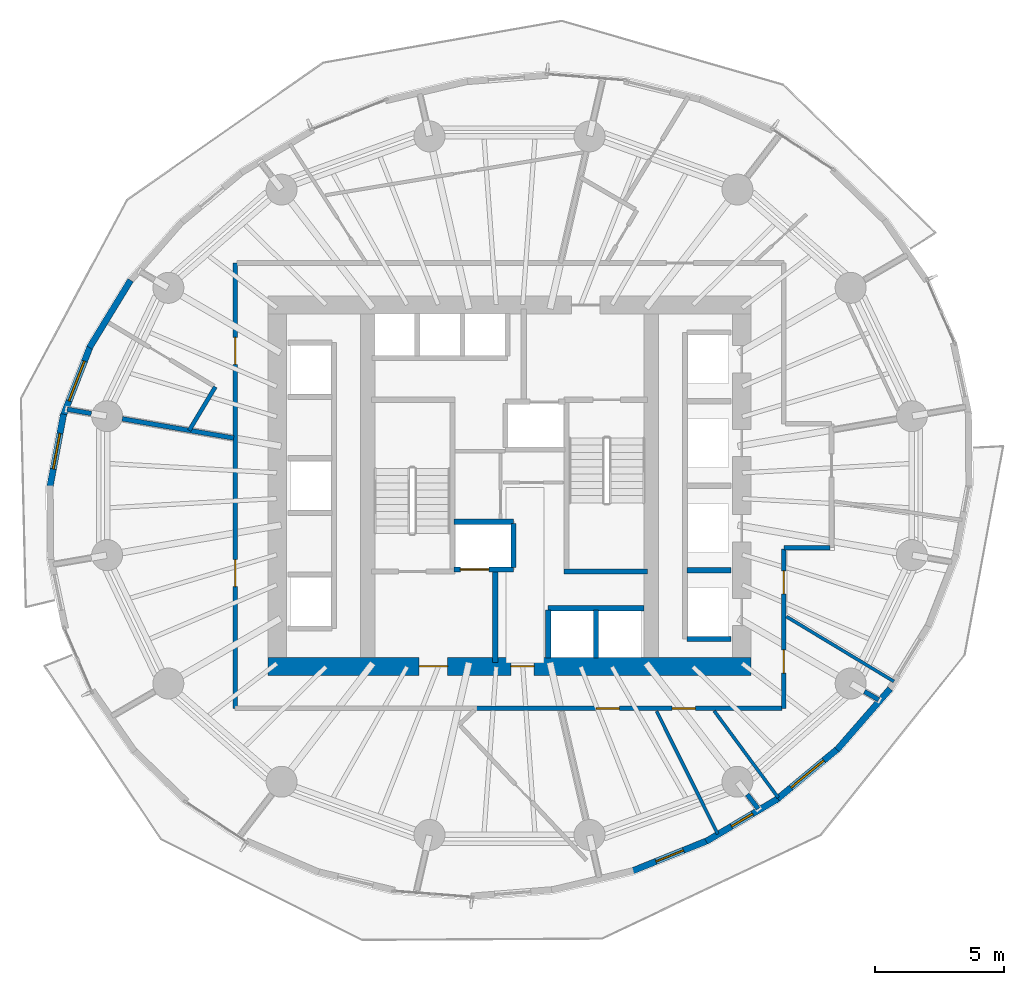
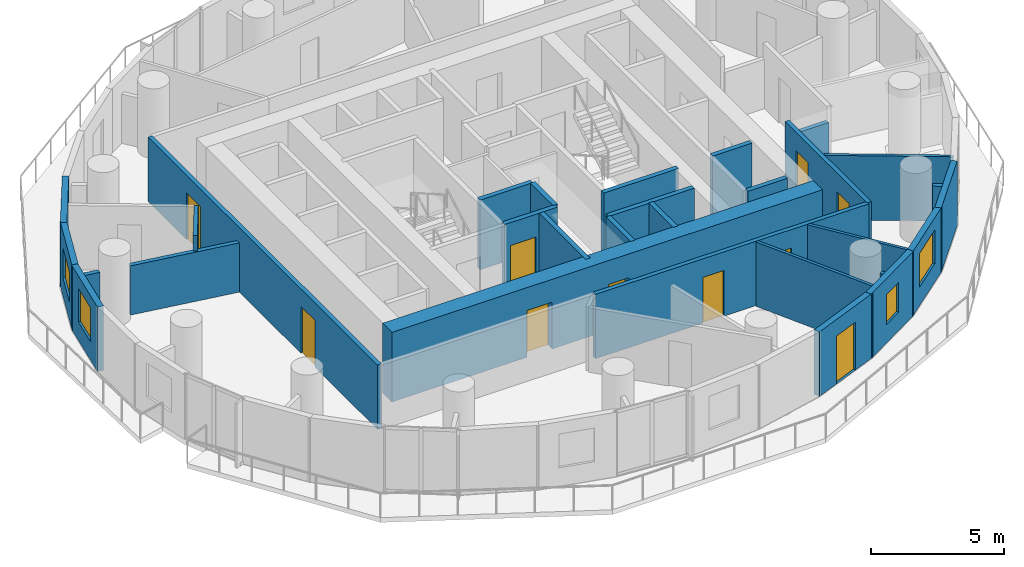
# One storey, part 7 of 14: 30 walls, 10 doors, 4 windows, 14 openings.
"""IFC4 building model written with IfcOpenShell, lengths in metres."""

from ifc_helpers import new_model, si_unit, direction, frame, frame_2d, origin, place, context, subcontext, project, spatial, rectangle, extrude, material, layer, layer_set, type_object, element, fill, save


model = new_model("IFC4")

# Units and contexts
model_context = context("Model", 3, precision=1e-05, world=origin(), true_north=direction((0.0, 1.0)))
body_context = subcontext(model_context, "Body", "Model", "MODEL_VIEW")
ifc_project = project(units=[si_unit("LENGTHUNIT", "METRE"), si_unit("AREAUNIT", "SQUARE_METRE"), si_unit("VOLUMEUNIT", "CUBIC_METRE"), si_unit("PLANEANGLEUNIT", "RADIAN"), si_unit("MASSUNIT", "GRAM", prefix="KILO")], contexts=[model_context])

# Site, building, storey
site_placement = place(None, origin())
site = spatial("IfcSite", under=ifc_project, at=site_placement, CompositionType="ELEMENT")
building_placement = place(site_placement, origin())
building = spatial("IfcBuilding", under=site, at=building_placement, Name="Veldorim Arch Residences", CompositionType="ELEMENT")
storey_placement = place(building_placement, frame((0.0, 0.0, 77.280029296875)))
storey = spatial("IfcBuildingStorey", under=building, at=storey_placement, Name="L22", CompositionType="ELEMENT", Elevation=77.280029296875)

# Walls
ifc_material_1 = material(Name="Acoustic Gypsum Board", Category="gypsum")
ifc_layer_1 = layer(ifc_material_1, 0.125, Name="Acoustic Stud Room Partition Wall 125")
ifc_layer_set_1 = layer_set([ifc_layer_1], Name="Acoustic Gypsum Board")
wall_type_1 = type_object("IfcWallType", Name="Acoustic Stud Room Partition Wall 125", PredefinedType="PARTITIONING", material=ifc_layer_set_1)
wall_1_placement = place(storey_placement, frame((46.8984375, 16.413818359375, 0.0), z_axis=(0.0, 0.0, 1.0), x_axis=(-0.856255019026, 0.51655332967, 0.0)))
element("IfcWall", 1, at=wall_1_placement, inside=storey, type_object=wall_type_1, Name="L22 interior wall WL-RES-L22-013", PredefinedType="PARTITIONING", context=body_context, shape_type="SweptSolid", body=[
    extrude(rectangle(XDim=4.86474609375, YDim=0.125, at=frame_2d((2.432373046875, 0.0))), origin(), (0.0, 0.0, 1.0), 2.955078125),
])
wall_2_placement = place(storey_placement, frame((42.416015625, 11.906494140625, 0.0), z_axis=(0.0, 0.0, 1.0), x_axis=(-0.593774058598, 0.804631820981, 0.0)))
element("IfcWall", 2, at=wall_2_placement, inside=storey, type_object=wall_type_1, Name="L22 interior wall WL-RES-L22-014", PredefinedType="PARTITIONING", context=body_context, shape_type="SweptSolid", body=[
    extrude(rectangle(XDim=4.1845703125, YDim=0.125, at=frame_2d((2.09228515625, 0.0))), origin(), (0.0, 0.0, 1.0), 2.955078125),
])
wall_3_placement = place(storey_placement, frame((40.0732421875, 10.498291015625, 0.0), z_axis=(0.0, 0.0, 1.0), x_axis=(-0.446241148369, 0.894912754129, 0.0)))
element("IfcWall", 3, at=wall_3_placement, inside=storey, type_object=wall_type_1, Name="L22 interior wall WL-RES-L22-015", PredefinedType="PARTITIONING", context=body_context, shape_type="SweptSolid", body=[
    extrude(rectangle(XDim=5.323974609375, YDim=0.125, at=frame_2d((2.662109375, 0.0))), origin(), (0.0, 0.0, 1.0), 2.955078125),
])
ifc_material_2 = material(Name="Lightweight Masonry Block & Gypsum", Category="masonry")
ifc_layer_2 = layer(ifc_material_2, 0.179931640625, Name="Compartment & Corridor Fire-Rated Party Wall 180")
ifc_layer_set_2 = layer_set([ifc_layer_2], Name="Lightweight Masonry Block & Gypsum")
wall_type_2 = type_object("IfcWallType", Name="Compartment & Corridor Fire-Rated Party Wall 180", PredefinedType="PARTITIONING", material=ifc_layer_set_2)
wall_4_placement = place(storey_placement, frame((15.79443359375, 26.797607421875, 0.0), z_axis=(0.0, 0.0, 1.0), x_axis=(-0.985396187556, 0.170277284302, 0.0)))
element("IfcWall", 4, at=wall_4_placement, inside=storey, type_object=wall_type_2, Name="L22 interior wall WL-PIER-L22-08", PredefinedType="PARTITIONING", context=body_context, shape_type="SweptSolid", body=[
    extrude(rectangle(XDim=0.94921875, YDim=0.179931640625, at=frame_2d((0.474609375, 0.0))), origin(), (0.0, 0.0, 1.0), 2.26025390625),
])
wall_5_placement = place(storey_placement, frame((41.2119140625, 12.034423828125, 0.0), z_axis=(0.0, 0.0, 1.0), x_axis=(0.609945476355, -0.792443383387, 0.0)))
element("IfcWall", 5, at=wall_5_placement, inside=storey, type_object=wall_type_2, Name="L22 interior wall WL-PIER-L22-14", PredefinedType="PARTITIONING", context=body_context, shape_type="SweptSolid", body=[
    extrude(rectangle(XDim=0.70361328125, YDim=0.179931640625, at=frame_2d((0.351806640625, 0.0))), origin(), (0.0, 0.0, 1.0), 2.26025390625),
])
wall_6_placement = place(storey_placement, frame((45.756591796875, 16.022216796875, 0.0), z_axis=(0.0, 0.0, 1.0), x_axis=(0.864928236137, -0.501895553212, 0.0)))
element("IfcWall", 6, at=wall_6_placement, inside=storey, type_object=wall_type_2, Name="L22 interior wall WL-PIER-L22-15", PredefinedType="PARTITIONING", context=body_context, shape_type="SweptSolid", body=[
    extrude(rectangle(XDim=0.63818359375, YDim=0.179931640625, at=frame_2d((0.319091796875, 0.0))), origin(), (0.0, 0.0, 1.0), 2.26025390625),
])
wall_7_placement = place(storey_placement, frame((44.419921875, 21.60009765625, 0.0), z_axis=(0.0, 0.0, 1.0), x_axis=(-1.0, 0.0, 0.0)))
element("IfcWall", 7, at=wall_7_placement, inside=storey, type_object=wall_type_2, Name="L22 interior wall WL-RES-L22-002", PredefinedType="PARTITIONING", context=body_context, shape_type="SweptSolid", body=[
    extrude(rectangle(XDim=1.7900390625, YDim=0.179931640625, at=frame_2d((0.89501953125, 0.0))), origin(), (0.0, 0.0, 1.0), 2.26025390625),
])

# Wall, openings, doors
wall_8_placement = place(storey_placement, frame((42.6298828125, 21.5400390625, 0.0), z_axis=(0.0, 0.0, 1.0), x_axis=(0.0, -1.0, 0.0)))
wall_8 = element("IfcWall", 8, at=wall_8_placement, inside=storey, type_object=wall_type_2, Name="L22 interior wall WL-RES-L22-003", PredefinedType="PARTITIONING", context=body_context, shape_type="SweptSolid", body=[
    extrude(rectangle(XDim=6.169921875, YDim=0.179931640625, at=frame_2d((3.0849609375, 0.0))), origin(), (0.0, 0.0, 1.0), 2.955078125),
])
opening_1_placement = place(wall_8_placement, frame((0.83740234375, 0.0, 0.0)))
opening_1 = element("IfcOpeningElement", 9, at=opening_1_placement, cuts=wall_8, Name="Opening DR-INT", PredefinedType="OPENING", context=body_context, shape_type="SweptSolid", body=[
    extrude(rectangle(XDim=0.89990234375, YDim=2.10009765625, at=frame_2d((0.449951171875, 1.050048828125))), frame((0.0, 0.099853515625, 0.0), z_axis=(0.0, -1.0, 0.0), x_axis=(1.0, 0.0, 0.0)), (0.0, 0.0, 1.0), 0.199951171875),
])
opening_2_placement = place(wall_8_placement, frame((3.900634765625, 0.0, 0.0)))
opening_2 = element("IfcOpeningElement", 10, at=opening_2_placement, cuts=wall_8, Name="Opening DR-INT", PredefinedType="OPENING", context=body_context, shape_type="SweptSolid", body=[
    extrude(rectangle(XDim=0.89990234375, YDim=2.10009765625, at=frame_2d((0.449951171875, 1.050048828125))), frame((0.0, 0.099853515625, 0.0), z_axis=(0.0, -1.0, 0.0), x_axis=(1.0, 0.0, 0.0)), (0.0, 0.0, 1.0), 0.199951171875),
])
ifc_material_3 = material(Name="Engineered Timber", Category="wood")
door_type_1 = type_object("IfcDoorType", Name="Apartment Internal Room Timber Door 900x2100", OperationType="SINGLE_SWING_LEFT", PredefinedType="DOOR", material=ifc_material_3)
door_1_placement = place(opening_1_placement, origin())
door_1 = element("IfcDoor", 11, at=door_1_placement, inside=storey, type_object=door_type_1, Name="L22 interior door DR-RES-L22-002", OperationType="SINGLE_SWING_RIGHT", OverallHeight=2.10009765625, OverallWidth=0.89990234375, PredefinedType="DOOR", context=body_context, shape_type="SweptSolid", body=[
    extrude(rectangle(XDim=0.89990234375, YDim=2.10009765625, at=frame_2d((0.449951171875, 1.050048828125))), frame((0.0, 0.02490234375, 0.0), z_axis=(0.0, -1.0, 0.0), x_axis=(1.0, 0.0, 0.0)), (0.0, 0.0, 1.0), 0.050048828125),
])
fill(opening_1, door_1)
door_2_placement = place(opening_2_placement, origin())
door_2 = element("IfcDoor", 12, at=door_2_placement, inside=storey, type_object=door_type_1, Name="L22 interior door DR-RES-L22-003", OperationType="SINGLE_SWING_LEFT", OverallHeight=2.10009765625, OverallWidth=0.89990234375, PredefinedType="DOOR", context=body_context, shape_type="SweptSolid", body=[
    extrude(rectangle(XDim=0.89990234375, YDim=2.10009765625, at=frame_2d((0.449951171875, 1.050048828125))), frame((0.0, 0.02490234375, 0.0), z_axis=(0.0, -1.0, 0.0), x_axis=(1.0, 0.0, 0.0)), (0.0, 0.0, 1.0), 0.050048828125),
])
fill(opening_2, door_2)

wall_9_placement = place(storey_placement, frame((42.570068359375, 15.3701171875, 0.0), z_axis=(0.0, 0.0, 1.0), x_axis=(-1.0, 0.0, 0.0)))
wall_9 = element("IfcWall", 13, at=wall_9_placement, inside=storey, type_object=wall_type_2, Name="L22 interior wall WL-RES-L22-004", PredefinedType="PARTITIONING", context=body_context, shape_type="SweptSolid", body=[
    extrude(rectangle(XDim=11.879150390625, YDim=0.179931640625, at=frame_2d((5.939453125, 0.0))), origin(), (0.0, 0.0, 1.0), 2.955078125),
])
opening_3_placement = place(wall_9_placement, frame((3.365478515625, 0.0, 0.0)))
opening_3 = element("IfcOpeningElement", 14, at=opening_3_placement, cuts=wall_9, Name="Opening DR-INT", PredefinedType="OPENING", context=body_context, shape_type="SweptSolid", body=[
    extrude(rectangle(XDim=0.89990234375, YDim=2.10009765625, at=frame_2d((0.449951171875, 1.050048828125))), frame((0.0, 0.099853515625, 0.0), z_axis=(0.0, -1.0, 0.0), x_axis=(1.0, 0.0, 0.0)), (0.0, 0.0, 1.0), 0.199951171875),
])
opening_4_placement = place(wall_9_placement, frame((6.307861328125, 0.0, 0.0)))
opening_4 = element("IfcOpeningElement", 15, at=opening_4_placement, cuts=wall_9, Name="Opening DR-INT", PredefinedType="OPENING", context=body_context, shape_type="SweptSolid", body=[
    extrude(rectangle(XDim=0.89990234375, YDim=2.10009765625, at=frame_2d((0.449951171875, 1.050048828125))), frame((0.0, 0.099853515625, 0.0), z_axis=(0.0, -1.0, 0.0), x_axis=(1.0, 0.0, 0.0)), (0.0, 0.0, 1.0), 0.199951171875),
])
door_3_placement = place(opening_3_placement, origin())
door_3 = element("IfcDoor", 16, at=door_3_placement, inside=storey, type_object=door_type_1, Name="L22 interior door DR-RES-L22-004", OperationType="SINGLE_SWING_RIGHT", OverallHeight=2.10009765625, OverallWidth=0.89990234375, PredefinedType="DOOR", context=body_context, shape_type="SweptSolid", body=[
    extrude(rectangle(XDim=0.89990234375, YDim=2.10009765625, at=frame_2d((0.449951171875, 1.050048828125))), frame((0.0, 0.02490234375, 0.0), z_axis=(0.0, -1.0, 0.0), x_axis=(1.0, 0.0, 0.0)), (0.0, 0.0, 1.0), 0.050048828125),
])
fill(opening_3, door_3)
door_4_placement = place(opening_4_placement, origin())
door_4 = element("IfcDoor", 17, at=door_4_placement, inside=storey, type_object=door_type_1, Name="L22 interior door DR-RES-L22-005", OperationType="SINGLE_SWING_LEFT", OverallHeight=2.10009765625, OverallWidth=0.89990234375, PredefinedType="DOOR", context=body_context, shape_type="SweptSolid", body=[
    extrude(rectangle(XDim=0.89990234375, YDim=2.10009765625, at=frame_2d((0.449951171875, 1.050048828125))), frame((0.0, 0.02490234375, 0.0), z_axis=(0.0, -1.0, 0.0), x_axis=(1.0, 0.0, 0.0)), (0.0, 0.0, 1.0), 0.050048828125),
])
fill(opening_4, door_4)

wall_10_placement = place(storey_placement, frame((21.3701171875, 15.3701171875, 0.0), z_axis=(0.0, 0.0, 1.0), x_axis=(0.0, 1.0, 0.0)))
wall_10 = element("IfcWall", 18, at=wall_10_placement, inside=storey, type_object=wall_type_2, Name="L22 interior wall WL-RES-L22-008", PredefinedType="PARTITIONING", context=body_context, shape_type="SweptSolid", body=[
    extrude(rectangle(XDim=17.259765625, YDim=0.179931640625, at=frame_2d((8.6298828125, 0.0))), origin(), (0.0, 0.0, 1.0), 2.955078125),
])
opening_5_placement = place(wall_10_placement, frame((13.32763671875, 0.0, 0.0)))
opening_5 = element("IfcOpeningElement", 19, at=opening_5_placement, cuts=wall_10, Name="Opening DR-FLT", PredefinedType="OPENING", context=body_context, shape_type="SweptSolid", body=[
    extrude(rectangle(XDim=1.050048828125, YDim=2.14990234375, at=frame_2d((0.52490234375, 1.074951171875))), frame((0.0, 0.099853515625, 0.0), z_axis=(0.0, -1.0, 0.0), x_axis=(1.0, 0.0, 0.0)), (0.0, 0.0, 1.0), 0.199951171875),
])
opening_6_placement = place(wall_10_placement, frame((4.7177734375, 0.0, 0.0)))
opening_6 = element("IfcOpeningElement", 20, at=opening_6_placement, cuts=wall_10, Name="Opening DR-FLT", PredefinedType="OPENING", context=body_context, shape_type="SweptSolid", body=[
    extrude(rectangle(XDim=1.050048828125, YDim=2.14990234375, at=frame_2d((0.52490234375, 1.074951171875))), frame((0.0, 0.099853515625, 0.0), z_axis=(0.0, -1.0, 0.0), x_axis=(1.0, 0.0, 0.0)), (0.0, 0.0, 1.0), 0.199951171875),
])
ifc_material_4 = material(Name="Fire-Rated Timber", Category="wood")
door_type_2 = type_object("IfcDoorType", Name="Apartment Entrance Solid-Core Fire Door 1050x2150", OperationType="SINGLE_SWING_LEFT", PredefinedType="DOOR", material=ifc_material_4)
door_5_placement = place(opening_5_placement, origin())
door_5 = element("IfcDoor", 21, at=door_5_placement, inside=storey, type_object=door_type_2, Name="L22 interior door DR-RES-L22-011", OperationType="SINGLE_SWING_LEFT", OverallHeight=2.14990234375, OverallWidth=1.050048828125, PredefinedType="DOOR", context=body_context, shape_type="SweptSolid", body=[
    extrude(rectangle(XDim=1.050048828125, YDim=2.14990234375, at=frame_2d((0.52490234375, 1.074951171875))), frame((0.0, 0.02490234375, 0.0), z_axis=(0.0, -1.0, 0.0), x_axis=(1.0, 0.0, 0.0)), (0.0, 0.0, 1.0), 0.050048828125),
])
fill(opening_5, door_5)
door_6_placement = place(opening_6_placement, origin())
door_6 = element("IfcDoor", 22, at=door_6_placement, inside=storey, type_object=door_type_2, Name="L22 interior door DR-RES-L22-015", OperationType="SINGLE_SWING_LEFT", OverallHeight=2.14990234375, OverallWidth=1.050048828125, PredefinedType="DOOR", context=body_context, shape_type="SweptSolid", body=[
    extrude(rectangle(XDim=1.050048828125, YDim=2.14990234375, at=frame_2d((0.52490234375, 1.074951171875))), frame((0.0, 0.02490234375, 0.0), z_axis=(0.0, -1.0, 0.0), x_axis=(1.0, 0.0, 0.0)), (0.0, 0.0, 1.0), 0.050048828125),
])
fill(opening_6, door_6)

# Walls
wall_11_placement = place(storey_placement, frame((21.310791015625, 25.84521484375, 0.0), z_axis=(0.0, 0.0, 1.0), x_axis=(-0.98541310568, 0.170179349963, 0.0)))
element("IfcWall", 23, at=wall_11_placement, inside=storey, type_object=wall_type_2, Name="L22 interior wall WL-RES-L22-026", PredefinedType="PARTITIONING", context=body_context, shape_type="SweptSolid", body=[
    extrude(rectangle(XDim=4.38134765625, YDim=0.179931640625, at=frame_2d((2.190673828125, 0.0))), origin(), (0.0, 0.0, 1.0), 2.26025390625),
])
ifc_material_5 = material(Name="Concrete C50/60", Category="concrete")
ifc_layer_3 = layer(ifc_material_5, 0.199951171875, Name="Core Stair & Lift Shaft Enclosure Wall 200")
ifc_layer_set_3 = layer_set([ifc_layer_3], Name="Concrete C50/60")
wall_type_3 = type_object("IfcWallType", Name="Core Stair & Lift Shaft Enclosure Wall 200", PredefinedType="SHEAR", material=ifc_layer_set_3)
wall_12_placement = place(storey_placement, frame((34.110107421875, 20.669921875, 0.0), z_axis=(0.0, 0.0, 1.0), x_axis=(1.0, 0.0, 0.0)))
element("IfcWall", 24, at=wall_12_placement, inside=storey, type_object=wall_type_3, Name="L22 shaft wall WL-SHF-L22-ST2-S", PredefinedType="SHEAR", context=body_context, shape_type="SweptSolid", body=[
    extrude(rectangle(XDim=3.239990234375, YDim=0.199951171875, at=frame_2d((1.6201171875, 0.0))), origin(), (0.0, 0.0, 1.0), 3.199951171875),
])
wall_13_placement = place(storey_placement, frame((31.449951171875, 17.14990234375, 0.0), z_axis=(0.0, 0.0, 1.0), x_axis=(0.0, 1.0, 0.0)))
element("IfcWall", 25, at=wall_13_placement, inside=storey, type_object=wall_type_3, Name="L22 shaft wall WL-FFL1-L22-E", PredefinedType="SHEAR", context=body_context, shape_type="SweptSolid", body=[
    extrude(rectangle(XDim=3.5, YDim=0.199951171875, at=frame_2d((1.75, 0.0))), origin(), (0.0, 0.0, 1.0), 3.199951171875),
])

# Wall, opening, door
wall_14_placement = place(storey_placement, frame((29.85009765625, 20.75, 0.0), z_axis=(0.0, 0.0, 1.0), x_axis=(1.0, 0.0, 0.0)))
wall_14 = element("IfcWall", 26, at=wall_14_placement, inside=storey, type_object=wall_type_3, Name="L22 shaft wall WL-FL01-L22-S", PredefinedType="SHEAR", context=body_context, shape_type="SweptSolid", body=[
    extrude(rectangle(XDim=2.2998046875, YDim=0.199951171875, at=frame_2d((1.14990234375, 0.0))), origin(), (0.0, 0.0, 1.0), 3.199951171875),
])
opening_7_placement = place(wall_14_placement, frame((0.25, 0.0, 0.0)))
opening_7 = element("IfcOpeningElement", 27, at=opening_7_placement, cuts=wall_14, Name="Opening LD-FF", PredefinedType="OPENING", context=body_context, shape_type="SweptSolid", body=[
    extrude(rectangle(XDim=1.10009765625, YDim=2.14990234375, at=frame_2d((0.550048828125, 1.074951171875))), frame((0.0, 0.10986328125, 0.0), z_axis=(0.0, -1.0, 0.0), x_axis=(1.0, 0.0, 0.0)), (0.0, 0.0, 1.0), 0.219970703125),
])
ifc_material_6 = material(Name="Stainless Steel", Category="steel")
door_type_3 = type_object("IfcDoorType", Name="Firefighting Lift Bi-Parting Sliding Landing Door 1100x2150", OperationType="DOUBLE_DOOR_SLIDING", PredefinedType="DOOR", material=ifc_material_6)
door_7_placement = place(opening_7_placement, origin())
door_7 = element("IfcDoor", 28, at=door_7_placement, inside=storey, type_object=door_type_3, Name="L22 lift landing door LD-L22-FL01", OperationType="DOUBLE_DOOR_SLIDING", OverallHeight=2.14990234375, OverallWidth=1.10009765625, PredefinedType="DOOR", context=body_context, shape_type="SweptSolid", body=[
    extrude(rectangle(XDim=1.10009765625, YDim=2.14990234375, at=frame_2d((0.550048828125, 1.074951171875))), frame((0.0, 0.02490234375, 0.0), z_axis=(0.0, -1.0, 0.0), x_axis=(1.0, 0.0, 0.0)), (0.0, 0.0, 1.0), 0.050048828125),
])
fill(opening_7, door_7)

# Walls
wall_15_placement = place(storey_placement, frame((29.85009765625, 22.60009765625, 0.0), z_axis=(0.0, 0.0, 1.0), x_axis=(1.0, 0.0, 0.0)))
element("IfcWall", 29, at=wall_15_placement, inside=storey, type_object=wall_type_3, Name="L22 shaft wall WL-FL01-L22-N", PredefinedType="SHEAR", context=body_context, shape_type="SweptSolid", body=[
    extrude(rectangle(XDim=2.2998046875, YDim=0.199951171875, at=frame_2d((1.14990234375, 0.0))), origin(), (0.0, 0.0, 1.0), 3.199951171875),
])
for number, where, z_axis, x_axis, name in (
    (30, (32.14990234375, 20.820068359375, 0.0), (0.0, 0.0, 1.0), (0.0, 1.0, 0.0), "L22 shaft wall WL-FL01-L22-E"),
    (31, (38.8701171875, 18.06005859375, 0.0), (0.0, 0.0, 1.0), (1.0, 0.0, 0.0), "L22 shaft wall WL-B1-L22-S"),
    (32, (38.8701171875, 20.72509765625, 0.0), (0.0, 0.0, 1.0), (1.0, 0.0, 0.0), "L22 shaft wall WL-B1-L22-D1"),
):
    element("IfcWall", number, at=place(storey_placement, frame(where, z_axis=z_axis, x_axis=x_axis)), inside=storey, type_object=wall_type_3, Name=name, PredefinedType="SHEAR", context=body_context, shape_type="SweptSolid", body=[
        extrude(rectangle(XDim=1.7099609375, YDim=0.199951171875, at=frame_2d((0.85498046875, 0.0))), origin(), (0.0, 0.0, 1.0), 3.199951171875),
    ])
wall_16_placement = place(storey_placement, frame((33.5, 19.25, 0.0), z_axis=(0.0, 0.0, 1.0), x_axis=(1.0, 0.0, 0.0)))
element("IfcWall", 33, at=wall_16_placement, inside=storey, type_object=wall_type_3, Name="L22 shaft wall WL-OL-L22-N", PredefinedType="SHEAR", context=body_context, shape_type="SweptSolid", body=[
    extrude(rectangle(XDim=3.719970703125, YDim=0.199951171875, at=frame_2d((1.85986328125, 0.0))), origin(), (0.0, 0.0, 1.0), 3.199951171875),
])
for number, where, z_axis, x_axis, name in (
    (34, (33.5, 17.320068359375, 0.0), (0.0, 0.0, 1.0), (0.0, 1.0, 0.0), "L22 shaft wall WL-OL-L22-W"),
    (35, (35.35009765625, 17.320068359375, 0.0), (0.0, 0.0, 1.0), (0.0, 1.0, 0.0), "L22 shaft wall WL-OL-L22-D1"),
):
    element("IfcWall", number, at=place(storey_placement, frame(where, z_axis=z_axis, x_axis=x_axis)), inside=storey, type_object=wall_type_3, Name=name, PredefinedType="SHEAR", context=body_context, shape_type="SweptSolid", body=[
        extrude(rectangle(XDim=1.85986328125, YDim=0.199951171875, at=frame_2d((0.929931640625, 0.0))), origin(), (0.0, 0.0, 1.0), 3.199951171875),
    ])

# Wall, openings, doors
ifc_material_7 = material(Name="Concrete C60/75", Category="concrete")
ifc_layer_4 = layer(ifc_material_7, 0.699951171875, Name="Mid-Lower Central Core Shear Wall 700")
ifc_layer_set_4 = layer_set([ifc_layer_4], Name="Concrete C60/75")
wall_type_4 = type_object("IfcWallType", Name="Mid-Lower Central Core Shear Wall 700", PredefinedType="SHEAR", material=ifc_layer_set_4)
wall_17_placement = place(storey_placement, frame((22.64990234375, 17.0, 0.0), z_axis=(0.0, 0.0, 1.0), x_axis=(1.0, 0.0, 0.0)))
wall_17 = element("IfcWall", 36, at=wall_17_placement, inside=storey, type_object=wall_type_4, Name="L22 central core south shear wall", PredefinedType="SHEAR", context=body_context, shape_type="SweptSolid", body=[
    extrude(rectangle(XDim=18.7001953125, YDim=0.699951171875, at=frame_2d((9.35009765625, 0.0))), origin(), (0.0, 0.0, 1.0), 3.199951171875),
])
opening_8_placement = place(wall_17_placement, frame((5.85009765625, 0.0, 0.0)))
opening_8 = element("IfcOpeningElement", 37, at=opening_8_placement, cuts=wall_17, Name="Opening DR-FFL", PredefinedType="OPENING", context=body_context, shape_type="SweptSolid", body=[
    extrude(rectangle(XDim=1.10009765625, YDim=2.14990234375, at=frame_2d((0.550048828125, 1.074951171875))), frame((0.0, 0.35986328125, 0.0), z_axis=(0.0, -1.0, 0.0), x_axis=(1.0, 0.0, 0.0)), (0.0, 0.0, 1.0), 0.719970703125),
])
opening_9_placement = place(wall_17_placement, frame((9.39990234375, 0.0, 0.0)))
opening_9 = element("IfcOpeningElement", 38, at=opening_9_placement, cuts=wall_17, Name="Opening DR-SVC", PredefinedType="OPENING", context=body_context, shape_type="SweptSolid", body=[
    extrude(rectangle(XDim=0.89990234375, YDim=2.10009765625, at=frame_2d((0.449951171875, 1.050048828125))), frame((0.0, 0.35986328125, 0.0), z_axis=(0.0, -1.0, 0.0), x_axis=(1.0, 0.0, 0.0)), (0.0, 0.0, 1.0), 0.719970703125),
])
ifc_material_8 = material(Name="Fire-Rated Steel & Vision Glass", Category="steel")
door_type_4 = type_object("IfcDoorType", Name="Firefighting Lobby Smoke-Stop Fire Door 1100x2150", OperationType="SINGLE_SWING_LEFT", PredefinedType="DOOR", material=ifc_material_8)
door_8_placement = place(opening_8_placement, origin())
door_8 = element("IfcDoor", 39, at=door_8_placement, inside=storey, type_object=door_type_4, Name="L22 interior door DR-L22-FFL1", OperationType="SINGLE_SWING_RIGHT", OverallHeight=2.14990234375, OverallWidth=1.10009765625, PredefinedType="DOOR", context=body_context, shape_type="SweptSolid", body=[
    extrude(rectangle(XDim=1.10009765625, YDim=2.14990234375, at=frame_2d((0.550048828125, 1.074951171875))), frame((0.0, 0.02490234375, 0.0), z_axis=(0.0, -1.0, 0.0), x_axis=(1.0, 0.0, 0.0)), (0.0, 0.0, 1.0), 0.050048828125),
])
fill(opening_8, door_8)
ifc_material_9 = material(Name="Fire-Rated Steel", Category="steel")
door_type_5 = type_object("IfcDoorType", Name="Riser, Shelter & Plant Room Rated Steel Door 900x2100", OperationType="SINGLE_SWING_LEFT", PredefinedType="DOOR", material=ifc_material_9)
door_9_placement = place(opening_9_placement, origin())
door_9 = element("IfcDoor", 40, at=door_9_placement, inside=storey, type_object=door_type_5, Name="L22 interior door DR-L22-COR-ANC", OperationType="SINGLE_SWING_LEFT", OverallHeight=2.10009765625, OverallWidth=0.89990234375, PredefinedType="DOOR", context=body_context, shape_type="SweptSolid", body=[
    extrude(rectangle(XDim=0.89990234375, YDim=2.10009765625, at=frame_2d((0.449951171875, 1.050048828125))), frame((0.0, 0.02490234375, 0.0), z_axis=(0.0, -1.0, 0.0), x_axis=(1.0, 0.0, 0.0)), (0.0, 0.0, 1.0), 0.050048828125),
])
fill(opening_9, door_9)

# Wall
ifc_material_10 = material(Name="Precast concrete C40/50", Category="concrete")
ifc_layer_5 = layer(ifc_material_10, 0.25, Name="Tower Terracotta Spandrel & Pier Wall 250")
ifc_layer_set_5 = layer_set([ifc_layer_5], Name="Precast concrete C40/50")
wall_type_5 = type_object("IfcWallType", Name="Tower Terracotta Spandrel & Pier Wall 250", PredefinedType="SOLIDWALL", material=ifc_layer_set_5)
wall_18_placement = place(storey_placement, frame((15.71923828125, 29.35009765625, 0.0), z_axis=(0.0, 0.0, 1.0), x_axis=(0.520956264952, 0.853583370273, 0.0)))
element("IfcWall", 41, at=wall_18_placement, inside=storey, type_object=wall_type_5, Name="L22 terracotta facade wall 14", PredefinedType="SOLIDWALL", context=body_context, shape_type="SweptSolid", body=[
    extrude(rectangle(XDim=3.060791015625, YDim=0.25, at=frame_2d((1.5302734375, 0.0))), origin(), (0.0, 0.0, 1.0), 2.9599609375),
])

# Wall, opening, window
wall_19_placement = place(storey_placement, frame((14.685791015625, 26.6650390625, 0.0), z_axis=(0.0, 0.0, 1.0), x_axis=(0.362414720493, 0.93201693674, 0.0)))
wall_19 = element("IfcWall", 42, at=wall_19_placement, inside=storey, type_object=wall_type_5, Name="L22 terracotta facade wall 15", PredefinedType="SOLIDWALL", context=body_context, shape_type="SweptSolid", body=[
    extrude(rectangle(XDim=2.98828125, YDim=0.25, at=frame_2d((1.494140625, 0.0))), origin(), (0.0, 0.0, 1.0), 2.9599609375),
])
opening_10_placement = place(wall_19_placement, frame((0.6689453125, 0.0, 0.85009765625)))
opening_10 = element("IfcOpeningElement", 43, at=opening_10_placement, cuts=wall_19, Name="Opening WN-03", PredefinedType="OPENING", context=body_context, shape_type="SweptSolid", body=[
    extrude(rectangle(XDim=1.64990234375, YDim=1.3701171875, at=frame_2d((0.824951171875, 0.68505859375))), frame((0.0, 0.135009765625, 0.0), z_axis=(0.0, -1.0, 0.0), x_axis=(1.0, 0.0, 0.0)), (0.0, 0.0, 1.0), 0.27001953125),
])
ifc_material_11 = material(Name="Laminated Low-E Glass", Category="glass")
window_type_1 = type_object("IfcWindowType", Name="Residential Wide Window 1650x1550", PartitioningType="SINGLE_PANEL", PredefinedType="WINDOW", material=ifc_material_11)
window_1_placement = place(opening_10_placement, origin())
window_1 = element("IfcWindow", 44, at=window_1_placement, inside=storey, type_object=window_type_1, Name="L22 solar-control facade window 15", OverallHeight=1.3701171875, OverallWidth=1.64990234375, PartitioningType="SINGLE_PANEL", PredefinedType="WINDOW", context=body_context, shape_type="SweptSolid", body=[
    extrude(rectangle(XDim=1.64990234375, YDim=1.3701171875, at=frame_2d((0.824951171875, 0.68505859375))), frame((0.0, 0.030029296875, 0.0), z_axis=(0.0, -1.0, 0.0), x_axis=(1.0, 0.0, 0.0)), (0.0, 0.0, 1.0), 0.06005859375),
])
fill(opening_10, window_1)

wall_20_placement = place(storey_placement, frame((14.1787109375, 23.89990234375, 0.0), z_axis=(0.0, 0.0, 1.0), x_axis=(0.183975908968, 0.982930752861, 0.0)))
wall_20 = element("IfcWall", 45, at=wall_20_placement, inside=storey, type_object=wall_type_5, Name="L22 terracotta facade wall 16", PredefinedType="SOLIDWALL", context=body_context, shape_type="SweptSolid", body=[
    extrude(rectangle(XDim=2.92333984375, YDim=0.25, at=frame_2d((1.461669921875, 0.0))), origin(), (0.0, 0.0, 1.0), 2.9599609375),
])
opening_11_placement = place(wall_20_placement, frame((0.761962890625, 0.0, 0.85009765625)))
opening_11 = element("IfcOpeningElement", 46, at=opening_11_placement, cuts=wall_20, Name="Opening WN-02", PredefinedType="OPENING", context=body_context, shape_type="SweptSolid", body=[
    extrude(rectangle(XDim=1.39990234375, YDim=1.550048828125, at=frame_2d((0.699951171875, 0.77490234375))), frame((0.0, 0.135009765625, 0.0), z_axis=(0.0, -1.0, 0.0), x_axis=(1.0, 0.0, 0.0)), (0.0, 0.0, 1.0), 0.27001953125),
])
ifc_material_12 = material(Name="Laminated Low-E Glass", Category="glass")
window_type_2 = type_object("IfcWindowType", Name="Residential Casement Window 1400x1550", PartitioningType="SINGLE_PANEL", PredefinedType="WINDOW", material=ifc_material_12)
window_2_placement = place(opening_11_placement, origin())
window_2 = element("IfcWindow", 47, at=window_2_placement, inside=storey, type_object=window_type_2, Name="L22 solar-control facade window 16", OverallHeight=1.550048828125, OverallWidth=1.39990234375, PartitioningType="SINGLE_PANEL", PredefinedType="WINDOW", context=body_context, shape_type="SweptSolid", body=[
    extrude(rectangle(XDim=1.39990234375, YDim=1.550048828125, at=frame_2d((0.699951171875, 0.77490234375))), frame((0.0, 0.030029296875, 0.0), z_axis=(0.0, -1.0, 0.0), x_axis=(1.0, 0.0, 0.0)), (0.0, 0.0, 1.0), 0.06005859375),
])
fill(opening_11, window_2)

# Wall, opening, door
wall_21_placement = place(storey_placement, frame((39.721923828125, 10.26220703125, 0.0), z_axis=(0.0, 0.0, 1.0), x_axis=(-0.927283842946, -0.374359018339, 0.0)))
wall_21 = element("IfcWall", 48, at=wall_21_placement, inside=storey, type_object=wall_type_5, Name="L22 terracotta facade wall 28", PredefinedType="SOLIDWALL", context=body_context, shape_type="SweptSolid", body=[
    extrude(rectangle(XDim=3.259521484375, YDim=0.25, at=frame_2d((1.6298828125, 0.0))), origin(), (0.0, 0.0, 1.0), 2.9599609375),
])
opening_12_placement = place(wall_21_placement, frame((1.054931640625, 0.0, 0.0)))
opening_12 = element("IfcOpeningElement", 49, at=opening_12_placement, cuts=wall_21, Name="Opening BL-DR", PredefinedType="OPENING", context=body_context, shape_type="SweptSolid", body=[
    extrude(rectangle(XDim=1.14990234375, YDim=2.199951171875, at=frame_2d((0.574951171875, 1.10009765625))), frame((0.0, 0.135009765625, 0.0), z_axis=(0.0, -1.0, 0.0), x_axis=(1.0, 0.0, 0.0)), (0.0, 0.0, 1.0), 0.27001953125),
])
ifc_material_13 = material(Name="Aluminium & Low-E Glass", Category="aluminium")
door_type_6 = type_object("IfcDoorType", Name="Glazed Planted Balcony Door 1150x2200", OperationType="SINGLE_SWING_LEFT", PredefinedType="DOOR", material=ifc_material_13)
door_10_placement = place(opening_12_placement, origin())
door_10 = element("IfcDoor", 50, at=door_10_placement, inside=storey, type_object=door_type_6, Name="L22 glazed outdoor terrace door BALC-2", OperationType="SINGLE_SWING_RIGHT", OverallHeight=2.199951171875, OverallWidth=1.14990234375, PredefinedType="DOOR", context=body_context, shape_type="SweptSolid", body=[
    extrude(rectangle(XDim=1.14990234375, YDim=2.199951171875, at=frame_2d((0.574951171875, 1.10009765625))), frame((0.0, 0.02490234375, 0.0), z_axis=(0.0, -1.0, 0.0), x_axis=(1.0, 0.0, 0.0)), (0.0, 0.0, 1.0), 0.050048828125),
])
fill(opening_12, door_10)

# Wall, opening, window
wall_22_placement = place(storey_placement, frame((42.406005859375, 11.86767578125, 0.0), z_axis=(0.0, 0.0, 1.0), x_axis=(-0.859543053771, -0.511063341196, 0.0)))
wall_22 = element("IfcWall", 51, at=wall_22_placement, inside=storey, type_object=wall_type_5, Name="L22 terracotta facade wall 29", PredefinedType="SOLIDWALL", context=body_context, shape_type="SweptSolid", body=[
    extrude(rectangle(XDim=3.236083984375, YDim=0.25, at=frame_2d((1.6181640625, 0.0))), origin(), (0.0, 0.0, 1.0), 2.9599609375),
])
opening_13_placement = place(wall_22_placement, frame((1.14306640625, 0.0, 0.85009765625)))
opening_13 = element("IfcOpeningElement", 52, at=opening_13_placement, cuts=wall_22, Name="Opening WN-05", PredefinedType="OPENING", context=body_context, shape_type="SweptSolid", body=[
    extrude(rectangle(XDim=0.949951171875, YDim=1.3701171875, at=frame_2d((0.47509765625, 0.68505859375))), frame((0.0, 0.135009765625, 0.0), z_axis=(0.0, -1.0, 0.0), x_axis=(1.0, 0.0, 0.0)), (0.0, 0.0, 1.0), 0.27001953125),
])
ifc_material_14 = material(Name="Laminated Low-E Glass", Category="glass")
window_type_3 = type_object("IfcWindowType", Name="Residential Compact Casement Window 950x1450", PartitioningType="SINGLE_PANEL", PredefinedType="WINDOW", material=ifc_material_14)
window_3_placement = place(opening_13_placement, origin())
window_3 = element("IfcWindow", 53, at=window_3_placement, inside=storey, type_object=window_type_3, Name="L22 solar-control facade window 29", OverallHeight=1.3701171875, OverallWidth=0.949951171875, PartitioningType="SINGLE_PANEL", PredefinedType="WINDOW", context=body_context, shape_type="SweptSolid", body=[
    extrude(rectangle(XDim=0.949951171875, YDim=1.3701171875, at=frame_2d((0.47509765625, 0.68505859375))), frame((0.0, 0.030029296875, 0.0), z_axis=(0.0, -1.0, 0.0), x_axis=(1.0, 0.0, 0.0)), (0.0, 0.0, 1.0), 0.06005859375),
])
fill(opening_13, window_3)

wall_23_placement = place(storey_placement, frame((44.7734375, 13.8427734375, 0.0), z_axis=(0.0, 0.0, 1.0), x_axis=(-0.769611275013, -0.638512713557, 0.0)))
wall_23 = element("IfcWall", 54, at=wall_23_placement, inside=storey, type_object=wall_type_5, Name="L22 terracotta facade wall 30", PredefinedType="SOLIDWALL", context=body_context, shape_type="SweptSolid", body=[
    extrude(rectangle(XDim=3.19189453125, YDim=0.25, at=frame_2d((1.595947265625, 0.0))), origin(), (0.0, 0.0, 1.0), 2.9599609375),
])
opening_14_placement = place(wall_23_placement, frame((0.77099609375, 0.0, 0.85009765625)))
opening_14 = element("IfcOpeningElement", 55, at=opening_14_placement, cuts=wall_23, Name="Opening WN-03", PredefinedType="OPENING", context=body_context, shape_type="SweptSolid", body=[
    extrude(rectangle(XDim=1.64990234375, YDim=1.550048828125, at=frame_2d((0.824951171875, 0.77490234375))), frame((0.0, 0.135009765625, 0.0), z_axis=(0.0, -1.0, 0.0), x_axis=(1.0, 0.0, 0.0)), (0.0, 0.0, 1.0), 0.27001953125),
])
window_4_placement = place(opening_14_placement, origin())
window_4 = element("IfcWindow", 56, at=window_4_placement, inside=storey, type_object=window_type_1, Name="L22 solar-control facade window 30", OverallHeight=1.550048828125, OverallWidth=1.64990234375, PartitioningType="SINGLE_PANEL", PredefinedType="WINDOW", context=body_context, shape_type="SweptSolid", body=[
    extrude(rectangle(XDim=1.64990234375, YDim=1.550048828125, at=frame_2d((0.824951171875, 0.77490234375))), frame((0.0, 0.030029296875, 0.0), z_axis=(0.0, -1.0, 0.0), x_axis=(1.0, 0.0, 0.0)), (0.0, 0.0, 1.0), 0.06005859375),
])
fill(opening_14, window_4)

# Walls
wall_24_placement = place(storey_placement, frame((46.751708984375, 16.126708984375, 0.0), z_axis=(0.0, 0.0, 1.0), x_axis=(-0.656940925155, -0.753942054044, 0.0)))
element("IfcWall", 57, at=wall_24_placement, inside=storey, type_object=wall_type_5, Name="L22 terracotta facade wall 31", PredefinedType="SOLIDWALL", context=body_context, shape_type="SweptSolid", body=[
    extrude(rectangle(XDim=3.131103515625, YDim=0.25, at=frame_2d((1.5654296875, 0.0))), origin(), (0.0, 0.0, 1.0), 2.9599609375),
])
ifc_material_15 = material(Name="Moisture-Resistant Gypsum & Stud", Category="gypsum")
ifc_layer_6 = layer(ifc_material_15, 0.159912109375, Name="Wet-Area Moisture-Resistant Plumbing Wall 160")
ifc_layer_set_6 = layer_set([ifc_layer_6], Name="Moisture-Resistant Gypsum & Stud")
wall_type_6 = type_object("IfcWallType", Name="Wet-Area Moisture-Resistant Plumbing Wall 160", PredefinedType="PLUMBINGWALL", material=ifc_layer_set_6)
wall_25_placement = place(storey_placement, frame((19.586181640625, 26.14306640625, 0.0), z_axis=(0.0, 0.0, 1.0), x_axis=(0.514969792399, 0.857208325272, 0.0)))
element("IfcWall", 58, at=wall_25_placement, inside=storey, type_object=wall_type_6, Name="L22 interior wall WL-RES-L22-023", PredefinedType="PLUMBINGWALL", context=body_context, shape_type="SweptSolid", body=[
    extrude(rectangle(XDim=1.968994140625, YDim=0.159912109375, at=frame_2d((0.984375, 0.0))), origin(), (0.0, 0.0, 1.0), 2.955078125),
])

save(model, "model.ifc")
